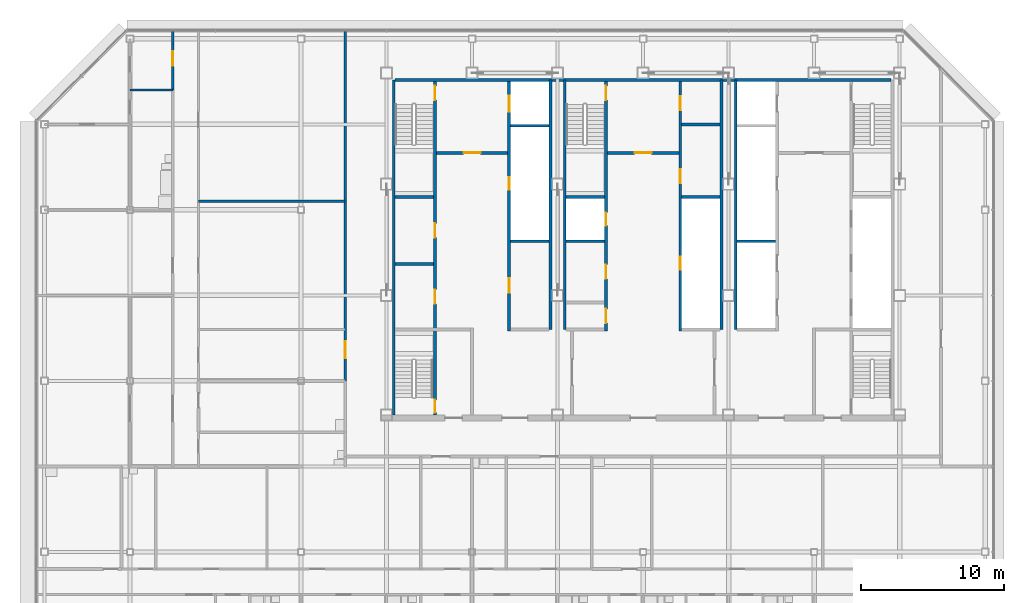
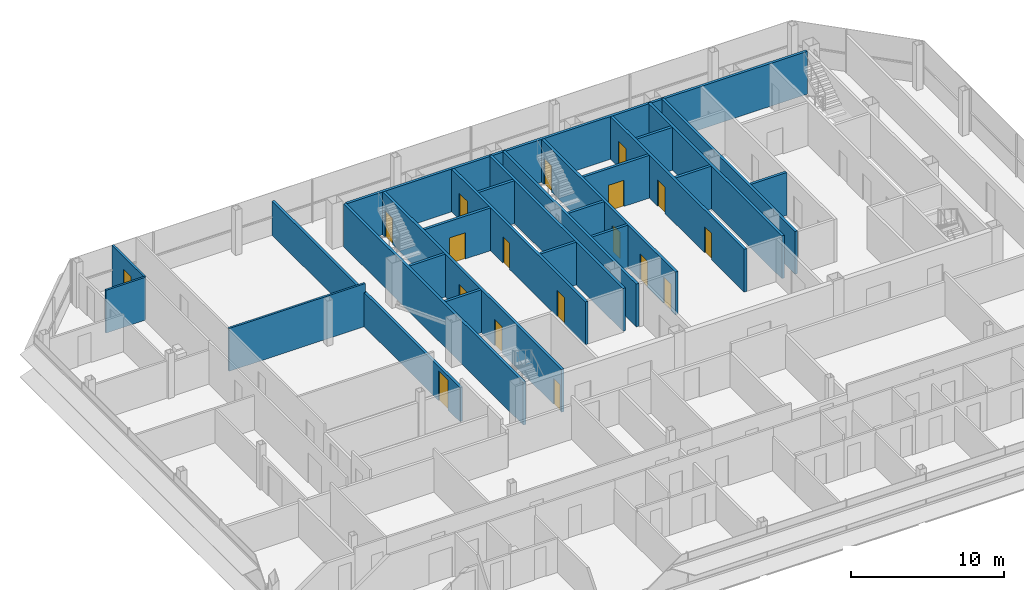
# One storey, part 24 of 28: 25 walls, 18 doors, 18 openings.
"""IFC4 building model written with IfcOpenShell, lengths in metres."""

import ifcopenshell
import ifcopenshell.guid

model = None  # the IFC model being written
_history = None  # IfcOwnerHistory: only IFC2X3 demands one
_inside = {}  # id of a spatial element -> (the spatial element, [elements in it])
_under = {}  # id of a project, library or spatial element -> (it, [spatial elements below it])
_declared = {}  # id of a project -> (the project, [libraries it declares])
_typed = {}  # id of a type object -> (the type object, [elements of that type])
_made_of = {}  # id of a material, layer set ... -> (it, [elements and type objects made of it])


def new_model(schema):
    """Start an empty IFC model of exactly this schema.

    Asked for "IFC4X3", IfcOpenShell would pick the latest addendum, in which some entities
    have other attributes; the version numbers below select the first issue.
    IFC2X3 requires an IfcOwnerHistory on every rooted entity: one is made here for all.
    """
    global model, _history
    if schema == "IFC4X3":
        model = ifcopenshell.file(schema_version=(4, 3, 0, 0))
    else:
        model = ifcopenshell.file(schema=schema)
    _inside.clear()
    _under.clear()
    _declared.clear()
    _typed.clear()
    _made_of.clear()
    _history = None
    if model.schema == "IFC2X3":
        org = make("IfcOrganization", Name="unknown")
        user = make(
            "IfcPersonAndOrganization",
            ThePerson=make("IfcPerson", FamilyName="unknown"),
            TheOrganization=org,
        )
        app = make(
            "IfcApplication",
            ApplicationDeveloper=org,
            Version="unknown",
            ApplicationFullName="unknown",
            ApplicationIdentifier="unknown",
        )
        _history = make(
            "IfcOwnerHistory",
            OwningUser=user,
            OwningApplication=app,
            ChangeAction="ADDED",
            CreationDate=0,
        )
    return model


def make(cls, **values):
    """One entity of the class cls with the attributes given. An attribute that is None is left unset."""
    return model.create_entity(
        cls, **{name: value for name, value in values.items() if value is not None}
    )


def rooted(cls, **values):
    """An entity with a GlobalId (a new one), such as an element, a storey or a relation."""
    return make(cls, GlobalId=ifcopenshell.guid.new(), OwnerHistory=_history, **values)


def si_unit(unit_type, name, prefix=None):
    """IfcSIUnit, for example si_unit("LENGTHUNIT", "METRE", prefix="MILLI")."""
    return make("IfcSIUnit", UnitType=unit_type, Prefix=prefix, Name=name)


def assignment(units):
    """IfcUnitAssignment: the units of a project."""
    return None if units is None else make("IfcUnitAssignment", Units=units)


def point(xyz):
    """IfcCartesianPoint."""
    return None if xyz is None else make("IfcCartesianPoint", Coordinates=xyz)


def direction(xyz):
    """IfcDirection."""
    return None if xyz is None else make("IfcDirection", DirectionRatios=xyz)


def frame(location, z_axis=None, x_axis=None):
    """IfcAxis2Placement3D, a coordinate frame: its origin and axes. An axis left out is left unset."""
    return make(
        "IfcAxis2Placement3D",
        Location=point(location),
        Axis=direction(z_axis),
        RefDirection=direction(x_axis),
    )


def frame_2d(location, x_axis=None):
    """IfcAxis2Placement2D, a coordinate frame in the plane: its origin and x axis."""
    return make(
        "IfcAxis2Placement2D", Location=point(location), RefDirection=direction(x_axis)
    )


def origin():
    """The frame at (0, 0, 0) with its axes left unset."""
    return frame((0.0, 0.0, 0.0))


def place(relative_to, where):
    """IfcLocalPlacement: puts the frame where relative to a parent placement (None: the world)."""
    return make(
        "IfcLocalPlacement", PlacementRelTo=relative_to, RelativePlacement=where
    )


def context(
    kind, dimensions, precision=None, world=None, true_north=None, identifier=None
):
    """IfcGeometricRepresentationContext, for example the 3D "Model" context."""
    return make(
        "IfcGeometricRepresentationContext",
        ContextIdentifier=identifier,
        ContextType=kind,
        CoordinateSpaceDimension=dimensions,
        Precision=precision,
        WorldCoordinateSystem=world,
        TrueNorth=true_north,
    )


def subcontext(parent, identifier, kind, view, scale=None):
    """IfcGeometricRepresentationSubContext, for example "Body" below "Model"."""
    return make(
        "IfcGeometricRepresentationSubContext",
        ContextIdentifier=identifier,
        ContextType=kind,
        ParentContext=parent,
        TargetScale=scale,
        TargetView=view,
    )


def project(units=None, contexts=None):
    """IfcProject with its units and contexts."""
    return rooted(
        "IfcProject",
        Name="project",
        RepresentationContexts=contexts,
        UnitsInContext=assignment(units),
    )


def spatial(cls, under=None, at=None, **own):
    """A site, building, storey or space (cls), placed at a placement, below another one or the project."""
    s = rooted(cls, ObjectPlacement=at, **own)
    if under is not None:
        _under.setdefault(under.id(), (under, []))[1].append(s)
    return s


def profile(cls, at=None, kind="AREA", **sizes):
    """A parametric profile (cls). Its sizes go by their IFC names, for example OverallWidth=200.0."""
    return make(cls, ProfileType=kind, Position=at, **sizes)


def rectangle(**sizes):
    """IfcRectangleProfileDef."""
    return profile("IfcRectangleProfileDef", **sizes)


def extrude(swept, where, along, depth):
    """IfcExtrudedAreaSolid: the profile swept, set in the frame where, extruded along a direction by depth."""
    return make(
        "IfcExtrudedAreaSolid",
        SweptArea=swept,
        Position=where,
        ExtrudedDirection=direction(along),
        Depth=depth,
    )


def shape(context_of_items, identifier, shape_type, items):
    """IfcShapeRepresentation: the items that make up one representation, for example the "Body"."""
    return make(
        "IfcShapeRepresentation",
        ContextOfItems=context_of_items,
        RepresentationIdentifier=identifier,
        RepresentationType=shape_type,
        Items=items,
    )


def material(Name=None, Category=None):
    """IfcMaterial."""
    return make("IfcMaterial", Name=Name, Category=Category)


def layer(
    of_material, thickness, ventilated=None, Name=None, Category=None, Priority=None
):
    """IfcMaterialLayer: one layer of a wall or slab, of a material (None: an air gap)."""
    return make(
        "IfcMaterialLayer",
        Material=of_material,
        LayerThickness=thickness,
        IsVentilated=ventilated,
        Name=Name,
        Category=Category,
        Priority=Priority,
    )


def layer_set(layers, Name=None):
    """IfcMaterialLayerSet."""
    return make("IfcMaterialLayerSet", MaterialLayers=layers, LayerSetName=Name)


def made_of(thing, what):
    """Note that an element or type object is made of a material, layer set ...; save() writes the relation."""
    if what is not None:
        _made_of.setdefault(what.id(), (what, []))[1].append(thing)
    return thing


def type_object(cls, material=None, **own):
    """A type object (cls), such as IfcWallType, which elements share."""
    return made_of(rooted(cls, **own), material)


def element(
    cls,
    number,
    at=None,
    inside=None,
    cuts=None,
    type_object=None,
    material=None,
    context=None,
    identifier="Body",
    shape_type=None,
    held_by="IfcProductDefinitionShape",
    body=None,
    shapes=None,
    **own,
):
    """One element of the class cls, such as IfcWall. Its Tag is "e" and its number.

    at: its placement. inside: the storey or other place that contains it. cuts: it is an
    opening in that element (IfcRelVoidsElement). A single representation is given by context,
    identifier, shape_type and body (its items); several are given by shapes. held_by: the class
    of the entity that holds the representations. save() writes the other relations.
    """
    e = rooted(cls, Tag="e%d" % number, ObjectPlacement=at, **own)
    if body is not None:
        shapes = [shape(context, identifier, shape_type, body)]
    if shapes is not None:
        e.Representation = make(held_by, Representations=shapes)
    if inside is not None:
        _inside.setdefault(inside.id(), (inside, []))[1].append(e)
    if cuts is not None:
        rooted(
            "IfcRelVoidsElement", RelatingBuildingElement=cuts, RelatedOpeningElement=e
        )
    if type_object is not None:
        _typed.setdefault(type_object.id(), (type_object, []))[1].append(e)
    return made_of(e, material)


def fill(opening, filler):
    """IfcRelFillsElement: the door or window that sits in an opening."""
    return rooted(
        "IfcRelFillsElement",
        RelatingOpeningElement=opening,
        RelatedBuildingElement=filler,
    )


def aggregate(whole, parts):
    """IfcRelAggregates: a whole, such as a stair, and the parts it consists of."""
    return rooted("IfcRelAggregates", RelatingObject=whole, RelatedObjects=parts)


def save(model, path):
    """Write the relations noted so far, then the file.

    IfcRelAggregates (storeys below a building ...), IfcRelContainedInSpatialStructure (elements
    in a storey), IfcRelDefinesByType, IfcRelAssociatesMaterial and IfcRelDeclares: one each for
    every whole, place, type object, material and project.
    """
    for whole, parts in _under.values():
        aggregate(whole, parts)
    for where, things in _inside.values():
        rooted(
            "IfcRelContainedInSpatialStructure",
            RelatedElements=things,
            RelatingStructure=where,
        )
    for kind, things in _typed.values():
        rooted("IfcRelDefinesByType", RelatedObjects=things, RelatingType=kind)
    for what, things in _made_of.values():
        rooted("IfcRelAssociatesMaterial", RelatedObjects=things, RelatingMaterial=what)
    for by, libraries in _declared.values():
        rooted("IfcRelDeclares", RelatingContext=by, RelatedDefinitions=libraries)
    model.write(path)


model = new_model("IFC4")

# Units and contexts
model_context = context("Model", 3, precision=1e-05, world=origin(), true_north=direction((0.0, 1.0)))
body_context = subcontext(model_context, "Body", "Model", "MODEL_VIEW")
ifc_project = project(units=[si_unit("LENGTHUNIT", "METRE"), si_unit("AREAUNIT", "SQUARE_METRE"), si_unit("VOLUMEUNIT", "CUBIC_METRE"), si_unit("PLANEANGLEUNIT", "RADIAN"), si_unit("MASSUNIT", "GRAM", prefix="KILO")], contexts=[model_context])

# Site, building, storey
site_placement = place(None, origin())
site = spatial("IfcSite", under=ifc_project, at=site_placement, CompositionType="ELEMENT")
building_placement = place(site_placement, origin())
building = spatial("IfcBuilding", under=site, at=building_placement, Name="Sorahane Residences", CompositionType="ELEMENT")
storey_placement = place(building_placement, frame((0.0, 0.0, 308.800048828125)))
storey = spatial("IfcBuildingStorey", under=building, at=storey_placement, Name="L73", CompositionType="ELEMENT", Elevation=308.800048828125)

# Walls
ifc_material_1 = material(Name="Concrete C30", Category="concrete")
ifc_layer_1 = layer(ifc_material_1, 0.199951171875)
ifc_layer_set_1 = layer_set([ifc_layer_1], Name="Core face wall 200 EI 180")
wall_type_1 = type_object("IfcWallType", Name="Core face wall 200 EI 180", PredefinedType="SOLIDWALL", material=ifc_layer_set_1)
wall_1_placement = place(storey_placement, frame((6.5, 21.60009765625, 0.0), z_axis=(0.0, 0.0, 1.0), x_axis=(0.0, 1.0, 0.0)))
element("IfcWall", 1, at=wall_1_placement, inside=storey, type_object=wall_type_1, Name="L73 core face wall", PredefinedType="SOLIDWALL", context=body_context, shape_type="SweptSolid", body=[
    extrude(rectangle(XDim=23.5, YDim=0.199951171875, at=frame_2d((11.75, 0.0))), origin(), (0.0, 0.0, 1.0), 3.419921875),
])
wall_2_placement = place(storey_placement, frame((6.60009765625, 45.10009765625, 0.0), z_axis=(0.0, 0.0, 1.0), x_axis=(1.0, 0.0, 0.0)))
element("IfcWall", 2, at=wall_2_placement, inside=storey, type_object=wall_type_1, Name="L73 core face wall", PredefinedType="SOLIDWALL", context=body_context, shape_type="SweptSolid", body=[
    extrude(rectangle(XDim=34.7998046875, YDim=0.199951171875, at=frame_2d((17.39990234375, 0.0))), origin(), (0.0, 0.0, 1.0), 3.419921875),
])
for number, where, z_axis, x_axis, name in (
    (3, (17.5, 27.60009765625, 0.0), (0.0, 0.0, 1.0), (0.0, 1.0, 0.0), "L73 core face wall"),
    (4, (18.5, 27.60009765625, 0.0), (0.0, 0.0, 1.0), (0.0, 1.0, 0.0), "L73 core face wall"),
    (5, (29.5, 27.60009765625, 0.0), (0.0, 0.0, 1.0), (0.0, 1.0, 0.0), "L73 core face wall"),
    (6, (30.5, 27.60009765625, 0.0), (0.0, 0.0, 1.0), (0.0, 1.0, 0.0), "L73 core face wall"),
):
    element("IfcWall", number, at=place(storey_placement, frame(where, z_axis=z_axis, x_axis=x_axis)), inside=storey, type_object=wall_type_1, Name=name, PredefinedType="SOLIDWALL", context=body_context, shape_type="SweptSolid", body=[
        extrude(rectangle(XDim=17.5, YDim=0.199951171875, at=frame_2d((8.75, 0.0))), origin(), (0.0, 0.0, 1.0), 3.419921875),
    ])

# Wall, opening, door
ifc_material_2 = material(Name="Concrete blockwork C20 wall", Category="masonry")
ifc_layer_2 = layer(ifc_material_2, 0.199951171875)
ifc_layer_set_2 = layer_set([ifc_layer_2], Name="Corridor wall 200 EI 120")
wall_type_2 = type_object("IfcWallType", Name="Corridor wall 200 EI 120", PredefinedType="SOLIDWALL", material=ifc_layer_set_2)
wall_3_placement = place(storey_placement, frame((3.10009765625, 24.0, 0.0), z_axis=(0.0, 0.0, 1.0), x_axis=(0.0, 1.0, 0.0)))
wall_3 = element("IfcWall", 7, at=wall_3_placement, inside=storey, type_object=wall_type_2, Name="L73 corridor wall", PredefinedType="SOLIDWALL", context=body_context, shape_type="SweptSolid", body=[
    extrude(rectangle(XDim=24.60009765625, YDim=0.199951171875, at=frame_2d((12.300048828125, 0.0))), origin(), (0.0, 0.0, 1.0), 2.719970703125),
])
opening_1_placement = place(wall_3_placement, frame((1.580078125, 0.0, 0.0)))
opening_1 = element("IfcOpeningElement", 8, at=opening_1_placement, cuts=wall_3, Name="Opening L73-46", PredefinedType="OPENING", context=body_context, shape_type="SweptSolid", body=[
    extrude(rectangle(XDim=1.199951171875, YDim=2.39990234375, at=frame_2d((0.60009765625, 1.199951171875))), frame((0.0, 0.10986328125, 0.0), z_axis=(0.0, -1.0, 0.0), x_axis=(1.0, 0.0, 0.0)), (0.0, 0.0, 1.0), 0.219970703125),
])
ifc_material_3 = material(Name="Timber veneered fire door", Category="wood")
door_type_1 = type_object("IfcDoorType", Name="Flat entrance door 1200x2400 FD60", OperationType="NOTDEFINED", PredefinedType="DOOR", material=ifc_material_3)
door_1_placement = place(opening_1_placement, origin())
door_1 = element("IfcDoor", 9, at=door_1_placement, inside=storey, type_object=door_type_1, Name="Flat entrance door L73-46", OperationType="SINGLE_SWING_LEFT", OverallHeight=2.39990234375, OverallWidth=1.199951171875, PredefinedType="DOOR", context=body_context, shape_type="SweptSolid", body=[
    extrude(rectangle(XDim=1.199951171875, YDim=2.39990234375, at=frame_2d((0.60009765625, 1.199951171875))), frame((0.0, 0.02490234375, 0.0), z_axis=(0.0, -1.0, 0.0), x_axis=(1.0, 0.0, 0.0)), (0.0, 0.0, 1.0), 0.050048828125),
])
fill(opening_1, door_1)

ifc_material_4 = material(Name="Concrete C30", Category="concrete")
ifc_layer_3 = layer(ifc_material_4, 0.199951171875)
ifc_layer_set_3 = layer_set([ifc_layer_3], Name="Front room wall 200 EI 120")
wall_type_3 = type_object("IfcWallType", Name="Front room wall 200 EI 120", PredefinedType="PARTITIONING", material=ifc_layer_set_3)
wall_4_placement = place(storey_placement, frame((21.5, 40.0, 0.0), z_axis=(0.0, 0.0, 1.0), x_axis=(1.0, 0.0, 0.0)))
wall_4 = element("IfcWall", 10, at=wall_4_placement, inside=storey, type_object=wall_type_3, Name="L73 front room wall", PredefinedType="PARTITIONING", context=body_context, shape_type="SweptSolid", body=[
    extrude(rectangle(XDim=5.0, YDim=0.199951171875, at=frame_2d((2.5, 0.0))), origin(), (0.0, 0.0, 1.0), 3.419921875),
])
opening_2_placement = place(wall_4_placement, frame((1.89990234375, 0.0, 0.0)))
opening_2 = element("IfcOpeningElement", 11, at=opening_2_placement, cuts=wall_4, Name="Opening L73-C09", PredefinedType="OPENING", context=body_context, shape_type="SweptSolid", body=[
    extrude(rectangle(XDim=1.199951171875, YDim=2.10009765625, at=frame_2d((0.60009765625, 1.050048828125))), frame((0.0, 0.10986328125, 0.0), z_axis=(0.0, -1.0, 0.0), x_axis=(1.0, 0.0, 0.0)), (0.0, 0.0, 1.0), 0.219970703125),
])
ifc_material_5 = material(Name="Steel", Category="steel")
door_type_2 = type_object("IfcDoorType", Name="Front room door 1200x2100 FD120", OperationType="NOTDEFINED", PredefinedType="DOOR", material=ifc_material_5)
door_2_placement = place(opening_2_placement, frame((1.199951171875, 0.0, 0.0), z_axis=(0.0, 0.0, 1.0), x_axis=(-1.0, 0.0, 0.0)))
door_2 = element("IfcDoor", 12, at=door_2_placement, inside=storey, type_object=door_type_2, Name="Front room door Stair S3 vestibule L73", OperationType="DOUBLE_DOOR_SINGLE_SWING", OverallHeight=2.10009765625, OverallWidth=1.199951171875, PredefinedType="DOOR", context=body_context, shape_type="SweptSolid", body=[
    extrude(rectangle(XDim=1.199951171875, YDim=2.10009765625, at=frame_2d((0.60009765625, 1.050048828125))), frame((0.0, 0.02490234375, 0.0), z_axis=(0.0, -1.0, 0.0), x_axis=(1.0, 0.0, 0.0)), (0.0, 0.0, 1.0), 0.050048828125),
])
fill(opening_2, door_2)

wall_5_placement = place(storey_placement, frame((9.5, 40.0, 0.0), z_axis=(0.0, 0.0, 1.0), x_axis=(1.0, 0.0, 0.0)))
wall_5 = element("IfcWall", 13, at=wall_5_placement, inside=storey, type_object=wall_type_3, Name="L73 front room wall", PredefinedType="PARTITIONING", context=body_context, shape_type="SweptSolid", body=[
    extrude(rectangle(XDim=5.0, YDim=0.199951171875, at=frame_2d((2.5, 0.0))), origin(), (0.0, 0.0, 1.0), 3.419921875),
])
opening_3_placement = place(wall_5_placement, frame((1.89990234375, 0.0, 0.0)))
opening_3 = element("IfcOpeningElement", 14, at=opening_3_placement, cuts=wall_5, Name="Opening L73-C08", PredefinedType="OPENING", context=body_context, shape_type="SweptSolid", body=[
    extrude(rectangle(XDim=1.199951171875, YDim=2.10009765625, at=frame_2d((0.60009765625, 1.050048828125))), frame((0.0, 0.10986328125, 0.0), z_axis=(0.0, -1.0, 0.0), x_axis=(1.0, 0.0, 0.0)), (0.0, 0.0, 1.0), 0.219970703125),
])
door_3_placement = place(opening_3_placement, frame((1.199951171875, 0.0, 0.0), z_axis=(0.0, 0.0, 1.0), x_axis=(-1.0, 0.0, 0.0)))
door_3 = element("IfcDoor", 15, at=door_3_placement, inside=storey, type_object=door_type_2, Name="Front room door Firefighting lobby FF1 front room L73", OperationType="DOUBLE_DOOR_SINGLE_SWING", OverallHeight=2.10009765625, OverallWidth=1.199951171875, PredefinedType="DOOR", context=body_context, shape_type="SweptSolid", body=[
    extrude(rectangle(XDim=1.199951171875, YDim=2.10009765625, at=frame_2d((0.60009765625, 1.050048828125))), frame((0.0, 0.02490234375, 0.0), z_axis=(0.0, -1.0, 0.0), x_axis=(1.0, 0.0, 0.0)), (0.0, 0.0, 1.0), 0.050048828125),
])
fill(opening_3, door_3)

# Wall, openings, doors
ifc_material_6 = material(Name="Concrete C30", Category="concrete")
ifc_layer_4 = layer(ifc_material_6, 0.199951171875)
ifc_layer_set_4 = layer_set([ifc_layer_4], Name="Lift shaft wall 200 EI 120")
wall_type_4 = type_object("IfcWallType", Name="Lift shaft wall 200 EI 120", PredefinedType="SOLIDWALL", material=ifc_layer_set_4)
wall_6_placement = place(storey_placement, frame((14.60009765625, 27.5, 0.0), z_axis=(0.0, 0.0, 1.0), x_axis=(0.0, 1.0, 0.0)))
wall_6 = element("IfcWall", 16, at=wall_6_placement, inside=storey, type_object=wall_type_4, Name="L73 lift shaft wall", PredefinedType="SOLIDWALL", context=body_context, shape_type="SweptSolid", body=[
    extrude(rectangle(XDim=17.5, YDim=0.199951171875, at=frame_2d((8.75, 0.0))), origin(), (0.0, 0.0, 1.0), 3.419921875),
])
opening_4_placement = place(wall_6_placement, frame((15.39990234375, 0.0, 0.0)))
opening_4 = element("IfcOpeningElement", 17, at=opening_4_placement, cuts=wall_6, Name="Opening L73-C17", PredefinedType="OPENING", context=body_context, shape_type="SweptSolid", body=[
    extrude(rectangle(XDim=1.10009765625, YDim=2.10009765625, at=frame_2d((0.550048828125, 1.050048828125))), frame((0.0, 0.10986328125, 0.0), z_axis=(0.0, -1.0, 0.0), x_axis=(1.0, 0.0, 0.0)), (0.0, 0.0, 1.0), 0.219970703125),
])
opening_5_placement = place(wall_6_placement, frame((2.699951171875, 0.0, 0.0)))
opening_5 = element("IfcOpeningElement", 18, at=opening_5_placement, cuts=wall_6, Name="Opening L73-C20", PredefinedType="OPENING", context=body_context, shape_type="SweptSolid", body=[
    extrude(rectangle(XDim=1.0, YDim=2.10009765625, at=frame_2d((0.5, 1.050048828125))), frame((0.0, 0.10986328125, 0.0), z_axis=(0.0, -1.0, 0.0), x_axis=(1.0, 0.0, 0.0)), (0.0, 0.0, 1.0), 0.219970703125),
])
opening_6_placement = place(wall_6_placement, frame((9.89990234375, 0.0, 0.0)))
opening_6 = element("IfcOpeningElement", 19, at=opening_6_placement, cuts=wall_6, Name="Opening L73-C28", PredefinedType="OPENING", context=body_context, shape_type="SweptSolid", body=[
    extrude(rectangle(XDim=0.89990234375, YDim=2.10009765625, at=frame_2d((0.449951171875, 1.050048828125))), frame((0.0, 0.10986328125, 0.0), z_axis=(0.0, -1.0, 0.0), x_axis=(1.0, 0.0, 0.0)), (0.0, 0.0, 1.0), 0.219970703125),
])
ifc_material_7 = material(Name="Aluminium and stainless steel", Category="steel")
door_type_3 = type_object("IfcDoorType", Name="Lift landing door 1100x2100 E 60", OperationType="NOTDEFINED", PredefinedType="DOOR", material=ifc_material_7)
door_4_placement = place(opening_4_placement, origin())
door_4 = element("IfcDoor", 20, at=door_4_placement, inside=storey, type_object=door_type_3, Name="Lift landing door FF1 L73", OperationType="DOUBLE_DOOR_SLIDING", OverallHeight=2.10009765625, OverallWidth=1.10009765625, PredefinedType="DOOR", context=body_context, shape_type="SweptSolid", body=[
    extrude(rectangle(XDim=1.10009765625, YDim=2.10009765625, at=frame_2d((0.550048828125, 1.050048828125))), frame((0.0, 0.02490234375, 0.0), z_axis=(0.0, -1.0, 0.0), x_axis=(1.0, 0.0, 0.0)), (0.0, 0.0, 1.0), 0.050048828125),
])
fill(opening_4, door_4)
ifc_material_8 = material(Name="Steel", Category="steel")
door_type_4 = type_object("IfcDoorType", Name="Riser door 900x2100 FD120", OperationType="NOTDEFINED", PredefinedType="DOOR", material=ifc_material_8)
door_5_placement = place(opening_6_placement, origin())
door_5 = element("IfcDoor", 21, at=door_5_placement, inside=storey, type_object=door_type_4, Name="Riser door R1 L73", OperationType="SINGLE_SWING_LEFT", OverallHeight=2.10009765625, OverallWidth=0.89990234375, PredefinedType="DOOR", context=body_context, shape_type="SweptSolid", body=[
    extrude(rectangle(XDim=0.89990234375, YDim=2.10009765625, at=frame_2d((0.449951171875, 1.050048828125))), frame((0.0, 0.02490234375, 0.0), z_axis=(0.0, -1.0, 0.0), x_axis=(1.0, 0.0, 0.0)), (0.0, 0.0, 1.0), 0.050048828125),
])
fill(opening_6, door_5)
ifc_material_9 = material(Name="Steel", Category="steel")
door_type_5 = type_object("IfcDoorType", Name="Service room door 1000x2100 FD60", OperationType="NOTDEFINED", PredefinedType="DOOR", material=ifc_material_9)
door_6_placement = place(opening_5_placement, frame((1.0, 0.0, 0.0), z_axis=(0.0, 0.0, 1.0), x_axis=(-1.0, 0.0, 0.0)))
door_6 = element("IfcDoor", 22, at=door_6_placement, inside=storey, type_object=door_type_5, Name="Service room door Games room L73", OperationType="SINGLE_SWING_RIGHT", OverallHeight=2.10009765625, OverallWidth=1.0, PredefinedType="DOOR", context=body_context, shape_type="SweptSolid", body=[
    extrude(rectangle(XDim=1.0, YDim=2.10009765625, at=frame_2d((0.5, 1.050048828125))), frame((0.0, 0.02490234375, 0.0), z_axis=(0.0, -1.0, 0.0), x_axis=(1.0, 0.0, 0.0)), (0.0, 0.0, 1.0), 0.050048828125),
])
fill(opening_5, door_6)

# Walls
for number, where, z_axis, x_axis, name in (
    (23, (30.60009765625, 33.800048828125, 0.0), (0.0, 0.0, 1.0), (1.0, 0.0, 0.0), "L73 lift shaft wall"),
    (24, (14.699951171875, 41.89990234375, 0.0), (0.0, 0.0, 1.0), (1.0, 0.0, 0.0), "L73 lift shaft wall"),
):
    element("IfcWall", number, at=place(storey_placement, frame(where, z_axis=z_axis, x_axis=x_axis)), inside=storey, type_object=wall_type_4, Name=name, PredefinedType="SOLIDWALL", context=body_context, shape_type="SweptSolid", body=[
        extrude(rectangle(XDim=2.699951171875, YDim=0.199951171875, at=frame_2d((1.35009765625, 0.0))), origin(), (0.0, 0.0, 1.0), 3.419921875),
    ])

# Wall, opening, door
ifc_material_10 = material(Name="Gypsum board partition on steel studs", Category="steel")
ifc_layer_5 = layer(ifc_material_10, 0.14990234375)
ifc_layer_set_5 = layer_set([ifc_layer_5], Name="Partition 150 EI 90")
wall_type_5 = type_object("IfcWallType", Name="Partition 150 EI 90", PredefinedType="PARTITIONING", material=ifc_layer_set_5)
wall_7_placement = place(storey_placement, frame((-9.0, 44.39990234375, 0.0), z_axis=(0.0, 0.0, 1.0), x_axis=(0.0, 1.0, 0.0)))
wall_7 = element("IfcWall", 25, at=wall_7_placement, inside=storey, type_object=wall_type_5, Name="L73 partition", PredefinedType="PARTITIONING", context=body_context, shape_type="SweptSolid", body=[
    extrude(rectangle(XDim=4.2001953125, YDim=0.14990234375, at=frame_2d((2.10009765625, 0.0))), origin(), (0.0, 0.0, 1.0), 3.419921875),
])
opening_7_placement = place(wall_7_placement, frame((1.719970703125, 0.0, 0.0)))
opening_7 = element("IfcOpeningElement", 26, at=opening_7_placement, cuts=wall_7, Name="Opening L73-39", PredefinedType="OPENING", context=body_context, shape_type="SweptSolid", body=[
    extrude(rectangle(XDim=1.0, YDim=2.39990234375, at=frame_2d((0.5, 1.199951171875))), frame((0.0, 0.0849609375, 0.0), z_axis=(0.0, -1.0, 0.0), x_axis=(1.0, 0.0, 0.0)), (0.0, 0.0, 1.0), 0.169921875),
])
ifc_material_11 = material(Name="Timber veneered fire door", Category="wood")
door_type_6 = type_object("IfcDoorType", Name="Room door 1000x2400 FD30", OperationType="NOTDEFINED", PredefinedType="DOOR", material=ifc_material_11)
door_7_placement = place(opening_7_placement, origin())
door_7 = element("IfcDoor", 27, at=door_7_placement, inside=storey, type_object=door_type_6, Name="Room door L73-39", OperationType="SINGLE_SWING_RIGHT", OverallHeight=2.39990234375, OverallWidth=1.0, PredefinedType="DOOR", context=body_context, shape_type="SweptSolid", body=[
    extrude(rectangle(XDim=1.0, YDim=2.39990234375, at=frame_2d((0.5, 1.199951171875))), frame((0.0, 0.02490234375, 0.0), z_axis=(0.0, -1.0, 0.0), x_axis=(1.0, 0.0, 0.0)), (0.0, 0.0, 1.0), 0.050048828125),
])
fill(opening_7, door_7)

# Wall
wall_8_placement = place(storey_placement, frame((-7.199951171875, 36.60009765625, 0.0), z_axis=(0.0, 0.0, 1.0), x_axis=(1.0, 0.0, 0.0)))
element("IfcWall", 28, at=wall_8_placement, inside=storey, type_object=wall_type_5, Name="L73 partition", PredefinedType="PARTITIONING", context=body_context, shape_type="SweptSolid", body=[
    extrude(rectangle(XDim=10.300048828125, YDim=0.14990234375, at=frame_2d((5.14990234375, 0.0))), origin(), (0.0, 0.0, 1.0), 3.419921875),
])

# Wall, openings, doors
ifc_material_12 = material(Name="Concrete C30", Category="concrete")
ifc_layer_6 = layer(ifc_material_12, 0.199951171875)
ifc_layer_set_6 = layer_set([ifc_layer_6], Name="Riser shaft wall 200 EI 120")
wall_type_6 = type_object("IfcWallType", Name="Riser shaft wall 200 EI 120", PredefinedType="SOLIDWALL", material=ifc_layer_set_6)
wall_9_placement = place(storey_placement, frame((26.60009765625, 27.5, 0.0), z_axis=(0.0, 0.0, 1.0), x_axis=(0.0, 1.0, 0.0)))
wall_9 = element("IfcWall", 29, at=wall_9_placement, inside=storey, type_object=wall_type_6, Name="L73 riser wall", PredefinedType="SOLIDWALL", context=body_context, shape_type="SweptSolid", body=[
    extrude(rectangle(XDim=17.5, YDim=0.199951171875, at=frame_2d((8.75, 0.0))), origin(), (0.0, 0.0, 1.0), 3.419921875),
])
opening_8_placement = place(wall_9_placement, frame((4.300048828125, 0.0, 0.0)))
opening_8 = element("IfcOpeningElement", 30, at=opening_8_placement, cuts=wall_9, Name="Opening L73-C31", PredefinedType="OPENING", context=body_context, shape_type="SweptSolid", body=[
    extrude(rectangle(XDim=0.89990234375, YDim=2.10009765625, at=frame_2d((0.449951171875, 1.050048828125))), frame((0.0, 0.10986328125, 0.0), z_axis=(0.0, -1.0, 0.0), x_axis=(1.0, 0.0, 0.0)), (0.0, 0.0, 1.0), 0.219970703125),
])
opening_9_placement = place(wall_9_placement, frame((10.35009765625, 0.0, 0.0)))
opening_9 = element("IfcOpeningElement", 31, at=opening_9_placement, cuts=wall_9, Name="Opening L73-C32", PredefinedType="OPENING", context=body_context, shape_type="SweptSolid", body=[
    extrude(rectangle(XDim=1.0, YDim=2.10009765625, at=frame_2d((0.5, 1.050048828125))), frame((0.0, 0.10986328125, 0.0), z_axis=(0.0, -1.0, 0.0), x_axis=(1.0, 0.0, 0.0)), (0.0, 0.0, 1.0), 0.219970703125),
])
opening_10_placement = place(wall_9_placement, frame((15.47509765625, 0.0, 0.0)))
opening_10 = element("IfcOpeningElement", 32, at=opening_10_placement, cuts=wall_9, Name="Opening L73-C33", PredefinedType="OPENING", context=body_context, shape_type="SweptSolid", body=[
    extrude(rectangle(XDim=1.0, YDim=2.10009765625, at=frame_2d((0.5, 1.050048828125))), frame((0.0, 0.10986328125, 0.0), z_axis=(0.0, -1.0, 0.0), x_axis=(1.0, 0.0, 0.0)), (0.0, 0.0, 1.0), 0.219970703125),
])
door_8_placement = place(opening_8_placement, origin())
door_8 = element("IfcDoor", 33, at=door_8_placement, inside=storey, type_object=door_type_4, Name="Riser door R4 L73", OperationType="SINGLE_SWING_LEFT", OverallHeight=2.10009765625, OverallWidth=0.89990234375, PredefinedType="DOOR", context=body_context, shape_type="SweptSolid", body=[
    extrude(rectangle(XDim=0.89990234375, YDim=2.10009765625, at=frame_2d((0.449951171875, 1.050048828125))), frame((0.0, 0.02490234375, 0.0), z_axis=(0.0, -1.0, 0.0), x_axis=(1.0, 0.0, 0.0)), (0.0, 0.0, 1.0), 0.050048828125),
])
fill(opening_8, door_8)
door_9_placement = place(opening_9_placement, frame((1.0, 0.0, 0.0), z_axis=(0.0, 0.0, 1.0), x_axis=(-1.0, 0.0, 0.0)))
door_9 = element("IfcDoor", 34, at=door_9_placement, inside=storey, type_object=door_type_5, Name="Service room door Parcel room L73", OperationType="SINGLE_SWING_LEFT", OverallHeight=2.10009765625, OverallWidth=1.0, PredefinedType="DOOR", context=body_context, shape_type="SweptSolid", body=[
    extrude(rectangle(XDim=1.0, YDim=2.10009765625, at=frame_2d((0.5, 1.050048828125))), frame((0.0, 0.02490234375, 0.0), z_axis=(0.0, -1.0, 0.0), x_axis=(1.0, 0.0, 0.0)), (0.0, 0.0, 1.0), 0.050048828125),
])
fill(opening_9, door_9)
door_10_placement = place(opening_10_placement, frame((1.0, 0.0, 0.0), z_axis=(0.0, 0.0, 1.0), x_axis=(-1.0, 0.0, 0.0)))
door_10 = element("IfcDoor", 35, at=door_10_placement, inside=storey, type_object=door_type_5, Name="Service room door Refuse room L73", OperationType="SINGLE_SWING_RIGHT", OverallHeight=2.10009765625, OverallWidth=1.0, PredefinedType="DOOR", context=body_context, shape_type="SweptSolid", body=[
    extrude(rectangle(XDim=1.0, YDim=2.10009765625, at=frame_2d((0.5, 1.050048828125))), frame((0.0, 0.02490234375, 0.0), z_axis=(0.0, -1.0, 0.0), x_axis=(1.0, 0.0, 0.0)), (0.0, 0.0, 1.0), 0.050048828125),
])
fill(opening_10, door_10)

# Walls
for number, where, z_axis, x_axis, name in (
    (36, (14.699951171875, 33.800048828125, 0.0), (0.0, 0.0, 1.0), (1.0, 0.0, 0.0), "L73 riser wall"),
    (37, (18.60009765625, 33.800048828125, 0.0), (0.0, 0.0, 1.0), (1.0, 0.0, 0.0), "L73 riser wall"),
    (38, (26.699951171875, 36.89990234375, 0.0), (0.0, 0.0, 1.0), (1.0, 0.0, 0.0), "L73 riser wall"),
):
    element("IfcWall", number, at=place(storey_placement, frame(where, z_axis=z_axis, x_axis=x_axis)), inside=storey, type_object=wall_type_6, Name=name, PredefinedType="SOLIDWALL", context=body_context, shape_type="SweptSolid", body=[
        extrude(rectangle(XDim=2.699951171875, YDim=0.199951171875, at=frame_2d((1.35009765625, 0.0))), origin(), (0.0, 0.0, 1.0), 3.419921875),
    ])
ifc_material_13 = material(Name="Concrete C30", Category="concrete")
ifc_layer_7 = layer(ifc_material_13, 0.199951171875)
ifc_layer_set_7 = layer_set([ifc_layer_7], Name="Service room partition 200 EI 60")
wall_type_7 = type_object("IfcWallType", Name="Service room partition 200 EI 60", PredefinedType="PARTITIONING", material=ifc_layer_set_7)
for number, where, z_axis, x_axis, name in (
    (39, (6.60009765625, 32.199951171875, 0.0), (0.0, 0.0, 1.0), (1.0, 0.0, 0.0), "L73 service room wall"),
    (40, (26.699951171875, 42.0, 0.0), (0.0, 0.0, 1.0), (1.0, 0.0, 0.0), "L73 service room wall"),
):
    element("IfcWall", number, at=place(storey_placement, frame(where, z_axis=z_axis, x_axis=x_axis)), inside=storey, type_object=wall_type_7, Name=name, PredefinedType="PARTITIONING", context=body_context, shape_type="SweptSolid", body=[
        extrude(rectangle(XDim=2.699951171875, YDim=0.199951171875, at=frame_2d((1.35009765625, 0.0))), origin(), (0.0, 0.0, 1.0), 3.419921875),
    ])

# Wall, openings, doors
ifc_material_14 = material(Name="Concrete C30", Category="concrete")
ifc_layer_8 = layer(ifc_material_14, 0.199951171875)
ifc_layer_set_8 = layer_set([ifc_layer_8], Name="Stair enclosure wall 200 EI 120")
wall_type_8 = type_object("IfcWallType", Name="Stair enclosure wall 200 EI 120", PredefinedType="SOLIDWALL", material=ifc_layer_set_8)
wall_10_placement = place(storey_placement, frame((21.39990234375, 27.5, 0.0), z_axis=(0.0, 0.0, 1.0), x_axis=(0.0, 1.0, 0.0)))
wall_10 = element("IfcWall", 41, at=wall_10_placement, inside=storey, type_object=wall_type_8, Name="L73 stair enclosure wall", PredefinedType="SOLIDWALL", context=body_context, shape_type="SweptSolid", body=[
    extrude(rectangle(XDim=17.5, YDim=0.199951171875, at=frame_2d((8.75, 0.0))), origin(), (0.0, 0.0, 1.0), 3.419921875),
])
opening_11_placement = place(wall_10_placement, frame((0.550048828125, 0.0, 0.0)))
opening_11 = element("IfcOpeningElement", 42, at=opening_11_placement, cuts=wall_10, Name="Opening L73-C18", PredefinedType="OPENING", context=body_context, shape_type="SweptSolid", body=[
    extrude(rectangle(XDim=1.0, YDim=2.10009765625, at=frame_2d((0.5, 1.050048828125))), frame((0.0, 0.10986328125, 0.0), z_axis=(0.0, -1.0, 0.0), x_axis=(1.0, 0.0, 0.0)), (0.0, 0.0, 1.0), 0.219970703125),
])
opening_12_placement = place(wall_10_placement, frame((3.64990234375, 0.0, 0.0)))
opening_12 = element("IfcOpeningElement", 43, at=opening_12_placement, cuts=wall_10, Name="Opening L73-C19", PredefinedType="OPENING", context=body_context, shape_type="SweptSolid", body=[
    extrude(rectangle(XDim=1.0, YDim=2.10009765625, at=frame_2d((0.5, 1.050048828125))), frame((0.0, 0.10986328125, 0.0), z_axis=(0.0, -1.0, 0.0), x_axis=(1.0, 0.0, 0.0)), (0.0, 0.0, 1.0), 0.219970703125),
])
opening_13_placement = place(wall_10_placement, frame((16.199951171875, 0.0, 0.0)))
opening_13 = element("IfcOpeningElement", 44, at=opening_13_placement, cuts=wall_10, Name="Opening L73-C25", PredefinedType="OPENING", context=body_context, shape_type="SweptSolid", body=[
    extrude(rectangle(XDim=1.0, YDim=2.10009765625, at=frame_2d((0.5, 1.050048828125))), frame((0.0, 0.10986328125, 0.0), z_axis=(0.0, -1.0, 0.0), x_axis=(1.0, 0.0, 0.0)), (0.0, 0.0, 1.0), 0.219970703125),
])
opening_14_placement = place(wall_10_placement, frame((7.39990234375, 0.0, 0.0)))
opening_14 = element("IfcOpeningElement", 45, at=opening_14_placement, cuts=wall_10, Name="Opening L73-C30", PredefinedType="OPENING", context=body_context, shape_type="SweptSolid", body=[
    extrude(rectangle(XDim=0.89990234375, YDim=2.10009765625, at=frame_2d((0.449951171875, 1.050048828125))), frame((0.0, 0.10986328125, 0.0), z_axis=(0.0, -1.0, 0.0), x_axis=(1.0, 0.0, 0.0)), (0.0, 0.0, 1.0), 0.219970703125),
])
door_11_placement = place(opening_14_placement, frame((0.89990234375, 0.0, 0.0), z_axis=(0.0, 0.0, 1.0), x_axis=(-1.0, 0.0, 0.0)))
door_11 = element("IfcDoor", 46, at=door_11_placement, inside=storey, type_object=door_type_4, Name="Riser door R3 L73", OperationType="SINGLE_SWING_LEFT", OverallHeight=2.10009765625, OverallWidth=0.89990234375, PredefinedType="DOOR", context=body_context, shape_type="SweptSolid", body=[
    extrude(rectangle(XDim=0.89990234375, YDim=2.10009765625, at=frame_2d((0.449951171875, 1.050048828125))), frame((0.0, 0.02490234375, 0.0), z_axis=(0.0, -1.0, 0.0), x_axis=(1.0, 0.0, 0.0)), (0.0, 0.0, 1.0), 0.050048828125),
])
fill(opening_14, door_11)
door_12_placement = place(opening_11_placement, origin())
door_12 = element("IfcDoor", 47, at=door_12_placement, inside=storey, type_object=door_type_5, Name="Service room door Flower store L73", OperationType="SINGLE_SWING_LEFT", OverallHeight=2.10009765625, OverallWidth=1.0, PredefinedType="DOOR", context=body_context, shape_type="SweptSolid", body=[
    extrude(rectangle(XDim=1.0, YDim=2.10009765625, at=frame_2d((0.5, 1.050048828125))), frame((0.0, 0.02490234375, 0.0), z_axis=(0.0, -1.0, 0.0), x_axis=(1.0, 0.0, 0.0)), (0.0, 0.0, 1.0), 0.050048828125),
])
fill(opening_11, door_12)
door_13_placement = place(opening_12_placement, origin())
door_13 = element("IfcDoor", 48, at=door_13_placement, inside=storey, type_object=door_type_5, Name="Service room door Flower room L73", OperationType="SINGLE_SWING_LEFT", OverallHeight=2.10009765625, OverallWidth=1.0, PredefinedType="DOOR", context=body_context, shape_type="SweptSolid", body=[
    extrude(rectangle(XDim=1.0, YDim=2.10009765625, at=frame_2d((0.5, 1.050048828125))), frame((0.0, 0.02490234375, 0.0), z_axis=(0.0, -1.0, 0.0), x_axis=(1.0, 0.0, 0.0)), (0.0, 0.0, 1.0), 0.050048828125),
])
fill(opening_12, door_13)
ifc_material_15 = material(Name="Steel", Category="steel")
door_type_7 = type_object("IfcDoorType", Name="Stair door 1000x2100 FD120", OperationType="NOTDEFINED", PredefinedType="DOOR", material=ifc_material_15)
door_14_placement = place(opening_13_placement, origin())
door_14 = element("IfcDoor", 49, at=door_14_placement, inside=storey, type_object=door_type_7, Name="Stair door S3 L73", OperationType="SINGLE_SWING_LEFT", OverallHeight=2.10009765625, OverallWidth=1.0, PredefinedType="DOOR", context=body_context, shape_type="SweptSolid", body=[
    extrude(rectangle(XDim=1.0, YDim=2.10009765625, at=frame_2d((0.5, 1.050048828125))), frame((0.0, 0.02490234375, 0.0), z_axis=(0.0, -1.0, 0.0), x_axis=(1.0, 0.0, 0.0)), (0.0, 0.0, 1.0), 0.050048828125),
])
fill(opening_13, door_14)

wall_11_placement = place(storey_placement, frame((9.39990234375, 21.60009765625, 0.0), z_axis=(0.0, 0.0, 1.0), x_axis=(0.0, 1.0, 0.0)))
wall_11 = element("IfcWall", 50, at=wall_11_placement, inside=storey, type_object=wall_type_8, Name="L73 stair enclosure wall", PredefinedType="SOLIDWALL", context=body_context, shape_type="SweptSolid", body=[
    extrude(rectangle(XDim=23.39990234375, YDim=0.199951171875, at=frame_2d((11.699951171875, 0.0))), origin(), (0.0, 0.0, 1.0), 3.419921875),
])
opening_15_placement = place(wall_11_placement, frame((7.800048828125, 0.0, 0.0)))
opening_15 = element("IfcOpeningElement", 51, at=opening_15_placement, cuts=wall_11, Name="Opening L73-C21", PredefinedType="OPENING", context=body_context, shape_type="SweptSolid", body=[
    extrude(rectangle(XDim=1.0, YDim=2.10009765625, at=frame_2d((0.5, 1.050048828125))), frame((0.0, 0.10986328125, 0.0), z_axis=(0.0, -1.0, 0.0), x_axis=(1.0, 0.0, 0.0)), (0.0, 0.0, 1.0), 0.219970703125),
])
opening_16_placement = place(wall_11_placement, frame((12.449951171875, 0.0, 0.0)))
opening_16 = element("IfcOpeningElement", 52, at=opening_16_placement, cuts=wall_11, Name="Opening L73-C22", PredefinedType="OPENING", context=body_context, shape_type="SweptSolid", body=[
    extrude(rectangle(XDim=1.0, YDim=2.10009765625, at=frame_2d((0.5, 1.050048828125))), frame((0.0, 0.10986328125, 0.0), z_axis=(0.0, -1.0, 0.0), x_axis=(1.0, 0.0, 0.0)), (0.0, 0.0, 1.0), 0.219970703125),
])
opening_17_placement = place(wall_11_placement, frame((22.10009765625, 0.0, 0.0)))
opening_17 = element("IfcOpeningElement", 53, at=opening_17_placement, cuts=wall_11, Name="Opening L73-C23", PredefinedType="OPENING", context=body_context, shape_type="SweptSolid", body=[
    extrude(rectangle(XDim=1.0, YDim=2.10009765625, at=frame_2d((0.5, 1.050048828125))), frame((0.0, 0.10986328125, 0.0), z_axis=(0.0, -1.0, 0.0), x_axis=(1.0, 0.0, 0.0)), (0.0, 0.0, 1.0), 0.219970703125),
])
opening_18_placement = place(wall_11_placement, frame((0.175048828125, 0.0, 0.0)))
opening_18 = element("IfcOpeningElement", 54, at=opening_18_placement, cuts=wall_11, Name="Opening L73-C26", PredefinedType="OPENING", context=body_context, shape_type="SweptSolid", body=[
    extrude(rectangle(XDim=0.89990234375, YDim=2.10009765625, at=frame_2d((0.449951171875, 1.050048828125))), frame((0.0, 0.10986328125, 0.0), z_axis=(0.0, -1.0, 0.0), x_axis=(1.0, 0.0, 0.0)), (0.0, 0.0, 1.0), 0.219970703125),
])
door_15_placement = place(opening_15_placement, origin())
door_15 = element("IfcDoor", 55, at=door_15_placement, inside=storey, type_object=door_type_5, Name="Service room door Archive L73", OperationType="SINGLE_SWING_RIGHT", OverallHeight=2.10009765625, OverallWidth=1.0, PredefinedType="DOOR", context=body_context, shape_type="SweptSolid", body=[
    extrude(rectangle(XDim=1.0, YDim=2.10009765625, at=frame_2d((0.5, 1.050048828125))), frame((0.0, 0.02490234375, 0.0), z_axis=(0.0, -1.0, 0.0), x_axis=(1.0, 0.0, 0.0)), (0.0, 0.0, 1.0), 0.050048828125),
])
fill(opening_15, door_15)
door_16_placement = place(opening_16_placement, origin())
door_16 = element("IfcDoor", 56, at=door_16_placement, inside=storey, type_object=door_type_5, Name="Service room door Archive L73", OperationType="SINGLE_SWING_LEFT", OverallHeight=2.10009765625, OverallWidth=1.0, PredefinedType="DOOR", context=body_context, shape_type="SweptSolid", body=[
    extrude(rectangle(XDim=1.0, YDim=2.10009765625, at=frame_2d((0.5, 1.050048828125))), frame((0.0, 0.02490234375, 0.0), z_axis=(0.0, -1.0, 0.0), x_axis=(1.0, 0.0, 0.0)), (0.0, 0.0, 1.0), 0.050048828125),
])
fill(opening_16, door_16)
door_17_placement = place(opening_17_placement, origin())
door_17 = element("IfcDoor", 57, at=door_17_placement, inside=storey, type_object=door_type_7, Name="Stair door S1 L73", OperationType="SINGLE_SWING_LEFT", OverallHeight=2.10009765625, OverallWidth=1.0, PredefinedType="DOOR", context=body_context, shape_type="SweptSolid", body=[
    extrude(rectangle(XDim=1.0, YDim=2.10009765625, at=frame_2d((0.5, 1.050048828125))), frame((0.0, 0.02490234375, 0.0), z_axis=(0.0, -1.0, 0.0), x_axis=(1.0, 0.0, 0.0)), (0.0, 0.0, 1.0), 0.050048828125),
])
fill(opening_17, door_17)
ifc_material_16 = material(Name="Steel", Category="steel")
door_type_8 = type_object("IfcDoorType", Name="Stair door 900x2100 FD120", OperationType="NOTDEFINED", PredefinedType="DOOR", material=ifc_material_16)
door_18_placement = place(opening_18_placement, origin())
door_18 = element("IfcDoor", 58, at=door_18_placement, inside=storey, type_object=door_type_8, Name="Stair door S4 L73", OperationType="SINGLE_SWING_LEFT", OverallHeight=2.10009765625, OverallWidth=0.89990234375, PredefinedType="DOOR", context=body_context, shape_type="SweptSolid", body=[
    extrude(rectangle(XDim=0.89990234375, YDim=2.10009765625, at=frame_2d((0.449951171875, 1.050048828125))), frame((0.0, 0.02490234375, 0.0), z_axis=(0.0, -1.0, 0.0), x_axis=(1.0, 0.0, 0.0)), (0.0, 0.0, 1.0), 0.050048828125),
])
fill(opening_18, door_18)

# Walls
for number, where, z_axis, x_axis, name in (
    (59, (18.60009765625, 36.89990234375, 0.0), (0.0, 0.0, 1.0), (1.0, 0.0, 0.0), "L73 stair enclosure wall"),
    (60, (6.60009765625, 36.89990234375, 0.0), (0.0, 0.0, 1.0), (1.0, 0.0, 0.0), "L73 stair enclosure wall"),
):
    element("IfcWall", number, at=place(storey_placement, frame(where, z_axis=z_axis, x_axis=x_axis)), inside=storey, type_object=wall_type_8, Name=name, PredefinedType="SOLIDWALL", context=body_context, shape_type="SweptSolid", body=[
        extrude(rectangle(XDim=2.699951171875, YDim=0.199951171875, at=frame_2d((1.35009765625, 0.0))), origin(), (0.0, 0.0, 1.0), 3.419921875),
    ])
ifc_material_17 = material(Name="Gypsum board partition on steel studs", Category="steel")
ifc_layer_9 = layer(ifc_material_17, 0.14990234375)
ifc_layer_set_9 = layer_set([ifc_layer_9], Name="Wet wall 150 EI 90")
wall_type_9 = type_object("IfcWallType", Name="Wet wall 150 EI 90", PredefinedType="PARTITIONING", material=ifc_layer_set_9)
wall_12_placement = place(storey_placement, frame((-12.0, 44.39990234375, 0.0), z_axis=(0.0, 0.0, 1.0), x_axis=(1.0, 0.0, 0.0)))
element("IfcWall", 61, at=wall_12_placement, inside=storey, type_object=wall_type_9, Name="L73 wet wall", PredefinedType="PARTITIONING", context=body_context, shape_type="SweptSolid", body=[
    extrude(rectangle(XDim=3.0, YDim=0.14990234375, at=frame_2d((1.5, 0.0))), origin(), (0.0, 0.0, 1.0), 3.419921875),
])

save(model, "model.ifc")
